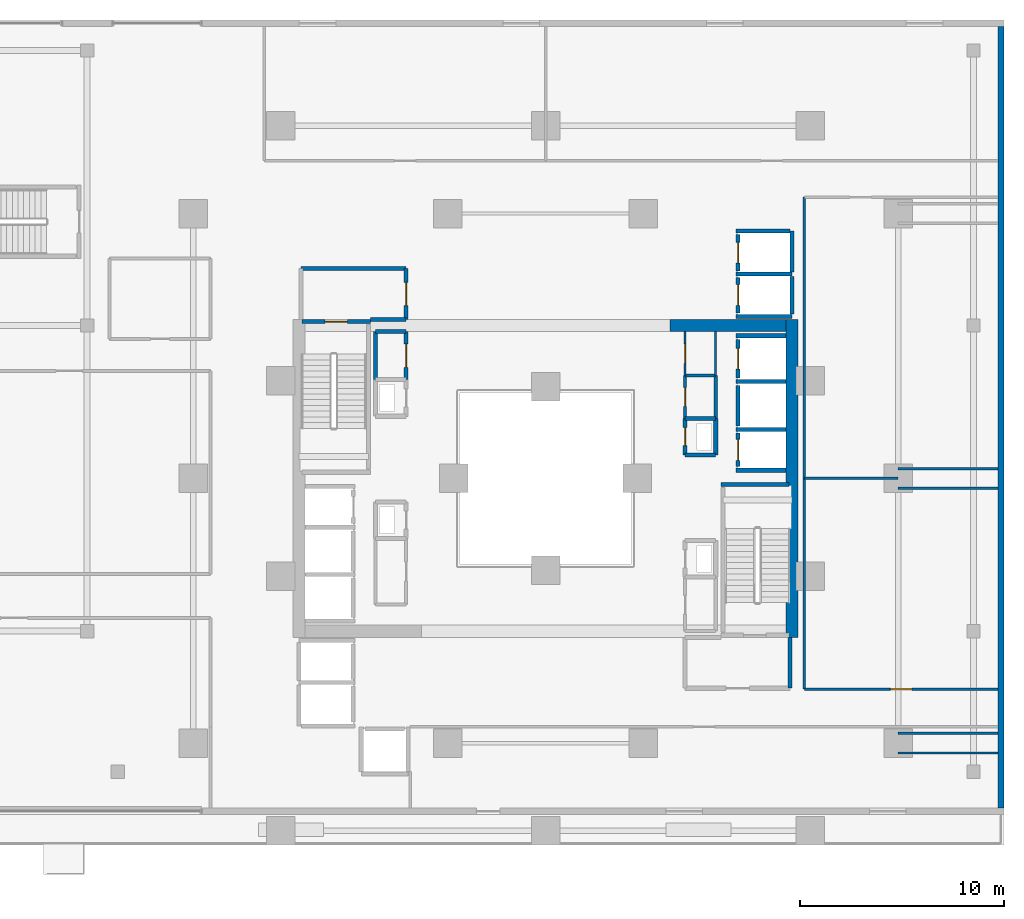
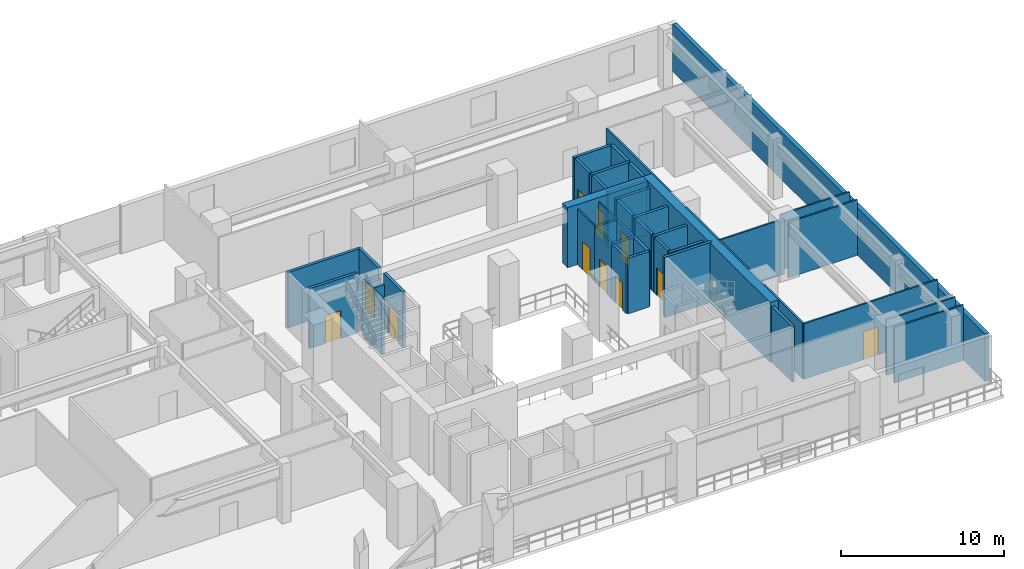
# One storey, part 16 of 22: 43 walls, 11 doors, 11 openings.
"""IFC4 building model written with IfcOpenShell, lengths in metres."""

from ifc_helpers import new_model, si_unit, direction, frame, frame_2d, origin, place, context, subcontext, project, spatial, rectangle, extrude, material, layer, layer_set, type_object, element, fill, save


model = new_model("IFC4")

# Units and contexts
model_context = context("Model", 3, precision=1e-05, world=origin(), true_north=direction((0.0, 1.0)))
body_context = subcontext(model_context, "Body", "Model", "MODEL_VIEW")
ifc_project = project(units=[si_unit("LENGTHUNIT", "METRE"), si_unit("AREAUNIT", "SQUARE_METRE"), si_unit("VOLUMEUNIT", "CUBIC_METRE"), si_unit("PLANEANGLEUNIT", "RADIAN"), si_unit("MASSUNIT", "GRAM", prefix="KILO")], contexts=[model_context])

# Site, building, storey
site_placement = place(None, origin())
site = spatial("IfcSite", under=ifc_project, at=site_placement, CompositionType="ELEMENT")
building_placement = place(site_placement, origin())
building = spatial("IfcBuilding", under=site, at=building_placement, Name="Thornwick Lancets Civic Towers", CompositionType="ELEMENT")
storey_placement = place(building_placement, frame((0.0, 0.0, 18.60009765625)))
storey = spatial("IfcBuildingStorey", under=building, at=storey_placement, Name="L04", CompositionType="ELEMENT", Elevation=18.60009765625)

# Wall, opening, door
ifc_material_1 = material(Name="Concrete blockwork C40/50", Category="masonry")
ifc_layer_1 = layer(ifc_material_1, 0.199951171875, Name="Concrete blockwork C40/50")
ifc_layer_set_1 = layer_set([ifc_layer_1], Name="Concrete blockwork C40/50")
wall_type_1 = type_object("IfcWallType", Name="WALL_COMP_200", PredefinedType="STANDARD", material=ifc_layer_set_1)
wall_1_placement = place(storey_placement, frame((97.949951171875, 29.219970703125, 0.0), z_axis=(0.0, 0.0, 1.0), x_axis=(0.0, -1.0, 0.0)))
wall_1 = element("IfcWall", 1, at=wall_1_placement, inside=storey, type_object=wall_type_1, Name="L04 Hoistway Front Wall FL-B1", PredefinedType="STANDARD", context=body_context, shape_type="SweptSolid", body=[
    extrude(rectangle(XDim=1.639892578125, YDim=0.199951171875, at=frame_2d((0.81982421875, 0.0))), origin(), (0.0, 0.0, 1.0), 4.159912109375),
])
opening_1_placement = place(wall_1_placement, frame((0.31005859375, 0.0, 0.0)))
opening_1 = element("IfcOpeningElement", 2, at=opening_1_placement, cuts=wall_1, Name="Opening LD-FL-B1", PredefinedType="OPENING", context=body_context, shape_type="SweptSolid", body=[
    extrude(rectangle(XDim=1.02001953125, YDim=2.06005859375, at=frame_2d((0.510009765625, 1.030029296875))), frame((0.0, 0.10986328125, 0.0), z_axis=(0.0, -1.0, 0.0), x_axis=(1.0, 0.0, 0.0)), (0.0, 0.0, 1.0), 0.219970703125),
])
ifc_material_2 = material(Name="Brushed bronze stainless steel", Category="steel")
door_type_1 = type_object("IfcDoorType", Name="DOOR_LIFT_SLIDE", OperationType="SLIDING_TO_LEFT", PredefinedType="DOOR", material=ifc_material_2)
door_1_placement = place(opening_1_placement, origin())
door_1 = element("IfcDoor", 3, at=door_1_placement, inside=storey, type_object=door_type_1, Name="L04 Sliding Lift Landing Door LD-FL-B1", OperationType="SLIDING_TO_LEFT", OverallHeight=2.06005859375, OverallWidth=1.02001953125, PredefinedType="DOOR", context=body_context, shape_type="SweptSolid", body=[
    extrude(rectangle(XDim=1.02001953125, YDim=2.06005859375, at=frame_2d((0.510009765625, 1.030029296875))), frame((0.0, 0.02490234375, 0.0), z_axis=(0.0, -1.0, 0.0), x_axis=(1.0, 0.0, 0.0)), (0.0, 0.0, 1.0), 0.050048828125),
])
fill(opening_1, door_1)

# Wall
wall_2_placement = place(storey_placement, frame((97.949951171875, 31.570068359375, 0.0), z_axis=(0.0, 0.0, 1.0), x_axis=(0.0, -1.0, 0.0)))
element("IfcWall", 4, at=wall_2_placement, inside=storey, type_object=wall_type_1, Name="L04 Hoistway Front Wall PL-BH1", PredefinedType="STANDARD", context=body_context, shape_type="SweptSolid", body=[
    extrude(rectangle(XDim=1.989990234375, YDim=0.199951171875, at=frame_2d((0.9951171875, 0.0))), origin(), (0.0, 0.0, 1.0), 4.159912109375),
])

# Wall, opening, door
wall_3_placement = place(storey_placement, frame((97.949951171875, 33.820068359375, 0.0), z_axis=(0.0, 0.0, 1.0), x_axis=(0.0, -1.0, 0.0)))
wall_3 = element("IfcWall", 5, at=wall_3_placement, inside=storey, type_object=wall_type_1, Name="L04 Hoistway Front Wall PL-BL1", PredefinedType="STANDARD", context=body_context, shape_type="SweptSolid", body=[
    extrude(rectangle(XDim=1.89013671875, YDim=0.199951171875, at=frame_2d((0.945068359375, 0.0))), origin(), (0.0, 0.0, 1.0), 4.159912109375),
])
opening_2_placement = place(wall_3_placement, frame((0.43505859375, 0.0, 0.0)))
opening_2 = element("IfcOpeningElement", 6, at=opening_2_placement, cuts=wall_3, Name="Opening LD-PL-BL1", PredefinedType="OPENING", context=body_context, shape_type="SweptSolid", body=[
    extrude(rectangle(XDim=1.02001953125, YDim=2.06005859375, at=frame_2d((0.510009765625, 1.030029296875))), frame((0.0, 0.10986328125, 0.0), z_axis=(0.0, -1.0, 0.0), x_axis=(1.0, 0.0, 0.0)), (0.0, 0.0, 1.0), 0.219970703125),
])
door_2_placement = place(opening_2_placement, origin())
door_2 = element("IfcDoor", 7, at=door_2_placement, inside=storey, type_object=door_type_1, Name="L04 Sliding Lift Landing Door LD-PL-BL1", OperationType="SLIDING_TO_LEFT", OverallHeight=2.06005859375, OverallWidth=1.02001953125, PredefinedType="DOOR", context=body_context, shape_type="SweptSolid", body=[
    extrude(rectangle(XDim=1.02001953125, YDim=2.06005859375, at=frame_2d((0.510009765625, 1.030029296875))), frame((0.0, 0.02490234375, 0.0), z_axis=(0.0, -1.0, 0.0), x_axis=(1.0, 0.0, 0.0)), (0.0, 0.0, 1.0), 0.050048828125),
])
fill(opening_2, door_2)

wall_4_placement = place(storey_placement, frame((97.949951171875, 36.8701171875, 0.0), z_axis=(0.0, 0.0, 1.0), x_axis=(0.0, -1.0, 0.0)))
wall_4 = element("IfcWall", 8, at=wall_4_placement, inside=storey, type_object=wall_type_1, Name="L04 Hoistway Front Wall PL-BL2", PredefinedType="STANDARD", context=body_context, shape_type="SweptSolid", body=[
    extrude(rectangle(XDim=1.740234375, YDim=0.199951171875, at=frame_2d((0.8701171875, 0.0))), origin(), (0.0, 0.0, 1.0), 4.159912109375),
])
opening_3_placement = place(wall_4_placement, frame((0.360107421875, 0.0, 0.0)))
opening_3 = element("IfcOpeningElement", 9, at=opening_3_placement, cuts=wall_4, Name="Opening LD-PL-BL2", PredefinedType="OPENING", context=body_context, shape_type="SweptSolid", body=[
    extrude(rectangle(XDim=1.02001953125, YDim=2.06005859375, at=frame_2d((0.510009765625, 1.030029296875))), frame((0.0, 0.10986328125, 0.0), z_axis=(0.0, -1.0, 0.0), x_axis=(1.0, 0.0, 0.0)), (0.0, 0.0, 1.0), 0.219970703125),
])
door_3_placement = place(opening_3_placement, origin())
door_3 = element("IfcDoor", 10, at=door_3_placement, inside=storey, type_object=door_type_1, Name="L04 Sliding Lift Landing Door LD-PL-BL2", OperationType="SLIDING_TO_LEFT", OverallHeight=2.06005859375, OverallWidth=1.02001953125, PredefinedType="DOOR", context=body_context, shape_type="SweptSolid", body=[
    extrude(rectangle(XDim=1.02001953125, YDim=2.06005859375, at=frame_2d((0.510009765625, 1.030029296875))), frame((0.0, 0.02490234375, 0.0), z_axis=(0.0, -1.0, 0.0), x_axis=(1.0, 0.0, 0.0)), (0.0, 0.0, 1.0), 0.050048828125),
])
fill(opening_3, door_3)

wall_5_placement = place(storey_placement, frame((97.949951171875, 38.969970703125, 0.0), z_axis=(0.0, 0.0, 1.0), x_axis=(0.0, -1.0, 0.0)))
wall_5 = element("IfcWall", 11, at=wall_5_placement, inside=storey, type_object=wall_type_1, Name="L04 Hoistway Front Wall PL-BL3", PredefinedType="STANDARD", context=body_context, shape_type="SweptSolid", body=[
    extrude(rectangle(XDim=1.7900390625, YDim=0.199951171875, at=frame_2d((0.89501953125, 0.0))), origin(), (0.0, 0.0, 1.0), 4.159912109375),
])
opening_4_placement = place(wall_5_placement, frame((0.385009765625, 0.0, 0.0)))
opening_4 = element("IfcOpeningElement", 12, at=opening_4_placement, cuts=wall_5, Name="Opening LD-PL-BL3", PredefinedType="OPENING", context=body_context, shape_type="SweptSolid", body=[
    extrude(rectangle(XDim=1.02001953125, YDim=2.06005859375, at=frame_2d((0.510009765625, 1.030029296875))), frame((0.0, 0.10986328125, 0.0), z_axis=(0.0, -1.0, 0.0), x_axis=(1.0, 0.0, 0.0)), (0.0, 0.0, 1.0), 0.219970703125),
])
door_4_placement = place(opening_4_placement, origin())
door_4 = element("IfcDoor", 13, at=door_4_placement, inside=storey, type_object=door_type_1, Name="L04 Sliding Lift Landing Door LD-PL-BL3", OperationType="SLIDING_TO_LEFT", OverallHeight=2.06005859375, OverallWidth=1.02001953125, PredefinedType="DOOR", context=body_context, shape_type="SweptSolid", body=[
    extrude(rectangle(XDim=1.02001953125, YDim=2.06005859375, at=frame_2d((0.510009765625, 1.030029296875))), frame((0.0, 0.02490234375, 0.0), z_axis=(0.0, -1.0, 0.0), x_axis=(1.0, 0.0, 0.0)), (0.0, 0.0, 1.0), 0.050048828125),
])
fill(opening_4, door_4)

# Walls
for number, where, z_axis, x_axis, name in (
    (14, (97.85205078125, 29.39990234375, 0.0), (0.0, 0.0, 1.0), (1.0, 0.0, 0.0), "L04 Hoistway Shaft Wall FL-B1 N"),
    (15, (97.85205078125, 27.39990234375, 0.0), (0.0, 0.0, 1.0), (1.0, 0.0, 0.0), "L04 Hoistway Shaft Wall FL-B1 S"),
    (16, (97.85205078125, 31.75, 0.0), (0.0, 0.0, 1.0), (1.0, 0.0, 0.0), "L04 Hoistway Shaft Wall PL-BH1 N"),
    (17, (97.85205078125, 34.0, 0.0), (0.0, 0.0, 1.0), (1.0, 0.0, 0.0), "L04 Hoistway Shaft Wall PL-BL1 N"),
):
    element("IfcWall", number, at=place(storey_placement, frame(where, z_axis=z_axis, x_axis=x_axis)), inside=storey, type_object=wall_type_1, Name=name, PredefinedType="STANDARD", context=body_context, shape_type="SweptSolid", body=[
        extrude(rectangle(XDim=2.43603515625, YDim=0.199951171875, at=frame_2d((1.218017578125, 0.0))), origin(), (0.0, 0.0, 1.0), 4.159912109375),
    ])
for number, where, z_axis, x_axis, name in (
    (18, (97.85205078125, 37.02490234375, 0.0), (0.0, 0.0, 1.0), (1.0, 0.0, 0.0), "L04 Hoistway Shaft Wall PL-BL2 N"),
    (19, (97.85205078125, 34.949951171875, 0.0), (0.0, 0.0, 1.0), (1.0, 0.0, 0.0), "L04 Hoistway Shaft Wall PL-BL2 S"),
):
    element("IfcWall", number, at=place(storey_placement, frame(where, z_axis=z_axis, x_axis=x_axis)), inside=storey, type_object=wall_type_1, Name=name, PredefinedType="STANDARD", context=body_context, shape_type="SweptSolid", body=[
        extrude(rectangle(XDim=2.745849609375, YDim=0.199951171875, at=frame_2d((1.373046875, 0.0))), origin(), (0.0, 0.0, 1.0), 4.159912109375),
    ])
wall_6_placement = place(storey_placement, frame((100.60009765625, 35.06201171875, 0.0), z_axis=(0.0, 0.0, 1.0), x_axis=(0.0, 1.0, 0.0)))
element("IfcWall", 20, at=wall_6_placement, inside=storey, type_object=wall_type_1, Name="L04 Hoistway Shaft Wall PL-BL2 E", PredefinedType="STANDARD", context=body_context, shape_type="SweptSolid", body=[
    extrude(rectangle(XDim=1.85595703125, YDim=0.199951171875, at=frame_2d((0.927978515625, 0.0))), origin(), (0.0, 0.0, 1.0), 4.159912109375),
])
wall_7_placement = place(storey_placement, frame((100.60009765625, 37.132080078125, 0.0), z_axis=(0.0, 0.0, 1.0), x_axis=(0.0, 1.0, 0.0)))
element("IfcWall", 21, at=wall_7_placement, inside=storey, type_object=wall_type_1, Name="L04 Hoistway Shaft Wall PL-BL2 E", PredefinedType="STANDARD", context=body_context, shape_type="SweptSolid", body=[
    extrude(rectangle(XDim=2.015869140625, YDim=0.199951171875, at=frame_2d((1.0078125, 0.0))), origin(), (0.0, 0.0, 1.0), 4.159912109375),
])
wall_8_placement = place(storey_placement, frame((97.85205078125, 39.14990234375, 0.0), z_axis=(0.0, 0.0, 1.0), x_axis=(1.0, 0.0, 0.0)))
element("IfcWall", 22, at=wall_8_placement, inside=storey, type_object=wall_type_1, Name="L04 Hoistway Shaft Wall PL-BL3 N", PredefinedType="STANDARD", context=body_context, shape_type="SweptSolid", body=[
    extrude(rectangle(XDim=2.635986328125, YDim=0.199951171875, at=frame_2d((1.31787109375, 0.0))), origin(), (0.0, 0.0, 1.0), 4.159912109375),
])
wall_9_placement = place(storey_placement, frame((100.5, 16.699951171875, 0.0), z_axis=(0.0, 0.0, 1.0), x_axis=(0.0, 1.0, 0.0)))
element("IfcWall", 23, at=wall_9_placement, inside=storey, type_object=wall_type_1, Name="L04 Partition L04-B-FFLOB1 E2", PredefinedType="STANDARD", context=body_context, shape_type="SweptSolid", body=[
    extrude(rectangle(XDim=2.5, YDim=0.199951171875, at=frame_2d((1.25, 0.0))), origin(), (0.0, 0.0, 1.0), 4.159912109375),
])
wall_10_placement = place(storey_placement, frame((79.89990234375, 34.800048828125, 0.0), z_axis=(0.0, 0.0, 1.0), x_axis=(1.0, 0.0, 0.0)))
element("IfcWall", 24, at=wall_10_placement, inside=storey, type_object=wall_type_1, Name="L04 Partition L04-B-FFLOB2 E1", PredefinedType="STANDARD", context=body_context, shape_type="SweptSolid", body=[
    extrude(rectangle(XDim=1.75, YDim=0.199951171875, at=frame_2d((0.875, 0.0))), origin(), (0.0, 0.0, 1.0), 3.364990234375),
])

# Wall, opening, door
wall_11_placement = place(storey_placement, frame((81.64990234375, 34.800048828125, 0.0), z_axis=(0.0, 0.0, 1.0), x_axis=(0.0, 1.0, 0.0)))
wall_11 = element("IfcWall", 25, at=wall_11_placement, inside=storey, type_object=wall_type_1, Name="L04 Partition L04-B-FFLOB2 E2", PredefinedType="STANDARD", context=body_context, shape_type="SweptSolid", body=[
    extrude(rectangle(XDim=2.5, YDim=0.199951171875, at=frame_2d((1.25, 0.0))), origin(), (0.0, 0.0, 1.0), 4.159912109375),
])
opening_5_placement = place(wall_11_placement, frame((0.675048828125, 0.0, 0.0)))
opening_5 = element("IfcOpeningElement", 26, at=opening_5_placement, cuts=wall_11, Name="Opening D-L04-0245", PredefinedType="OPENING", context=body_context, shape_type="SweptSolid", body=[
    extrude(rectangle(XDim=1.14990234375, YDim=2.10009765625, at=frame_2d((0.574951171875, 1.050048828125))), frame((0.0, 0.10986328125, 0.0), z_axis=(0.0, -1.0, 0.0), x_axis=(1.0, 0.0, 0.0)), (0.0, 0.0, 1.0), 0.219970703125),
])
ifc_material_3 = material(Name="Glazed fire-resisting steel", Category="steel")
door_type_2 = type_object("IfcDoorType", Name="DOOR_LOBBY_FD60", OperationType="NOTDEFINED", PredefinedType="DOOR", material=ifc_material_3)
door_5_placement = place(opening_5_placement, origin())
door_5 = element("IfcDoor", 27, at=door_5_placement, inside=storey, type_object=door_type_2, Name="L04 West Firefighting Lobby 2 Door", OperationType="SINGLE_SWING_RIGHT", OverallHeight=2.10009765625, OverallWidth=1.14990234375, PredefinedType="DOOR", context=body_context, shape_type="SweptSolid", body=[
    extrude(rectangle(XDim=1.14990234375, YDim=2.10009765625, at=frame_2d((0.574951171875, 1.050048828125))), frame((0.0, 0.02490234375, 0.0), z_axis=(0.0, -1.0, 0.0), x_axis=(1.0, 0.0, 0.0)), (0.0, 0.0, 1.0), 0.050048828125),
])
fill(opening_5, door_5)

# Walls
wall_12_placement = place(storey_placement, frame((81.64990234375, 37.300048828125, 0.0), z_axis=(0.0, 0.0, 1.0), x_axis=(-1.0, 0.0, 0.0)))
element("IfcWall", 28, at=wall_12_placement, inside=storey, type_object=wall_type_1, Name="L04 Partition L04-B-FFLOB2 E3", PredefinedType="STANDARD", context=body_context, shape_type="SweptSolid", body=[
    extrude(rectangle(XDim=5.14990234375, YDim=0.199951171875, at=frame_2d((2.574951171875, 0.0))), origin(), (0.0, 0.0, 1.0), 4.159912109375),
])
wall_13_placement = place(storey_placement, frame((95.35009765625, 28.14990234375, 0.0), z_axis=(0.0, 0.0, 1.0), x_axis=(1.0, 0.0, 0.0)))
element("IfcWall", 29, at=wall_13_placement, inside=storey, type_object=wall_type_1, Name="L04 Partition L04-B-DUCT1 E1", PredefinedType="STANDARD", context=body_context, shape_type="SweptSolid", body=[
    extrude(rectangle(XDim=1.5, YDim=0.199951171875, at=frame_2d((0.75, 0.0))), origin(), (0.0, 0.0, 1.0), 4.159912109375),
])
wall_14_placement = place(storey_placement, frame((96.85009765625, 28.14990234375, 0.0), z_axis=(0.0, 0.0, 1.0), x_axis=(0.0, 1.0, 0.0)))
element("IfcWall", 30, at=wall_14_placement, inside=storey, type_object=wall_type_1, Name="L04 Partition L04-B-DUCT1 E2", PredefinedType="STANDARD", context=body_context, shape_type="SweptSolid", body=[
    extrude(rectangle(XDim=1.800048828125, YDim=0.199951171875, at=frame_2d((0.89990234375, 0.0))), origin(), (0.0, 0.0, 1.0), 4.159912109375),
])
wall_15_placement = place(storey_placement, frame((96.85009765625, 29.949951171875, 0.0), z_axis=(0.0, 0.0, 1.0), x_axis=(-1.0, 0.0, 0.0)))
element("IfcWall", 31, at=wall_15_placement, inside=storey, type_object=wall_type_1, Name="L04 Partition L04-B-DUCT1 E3", PredefinedType="STANDARD", context=body_context, shape_type="SweptSolid", body=[
    extrude(rectangle(XDim=1.5, YDim=0.199951171875, at=frame_2d((0.75, 0.0))), origin(), (0.0, 0.0, 1.0), 4.159912109375),
])

# Wall, opening, door
wall_16_placement = place(storey_placement, frame((95.35009765625, 29.949951171875, 0.0), z_axis=(0.0, 0.0, 1.0), x_axis=(0.0, -1.0, 0.0)))
wall_16 = element("IfcWall", 32, at=wall_16_placement, inside=storey, type_object=wall_type_1, Name="L04 Partition L04-B-DUCT1 E4", PredefinedType="STANDARD", context=body_context, shape_type="SweptSolid", body=[
    extrude(rectangle(XDim=1.800048828125, YDim=0.199951171875, at=frame_2d((0.89990234375, 0.0))), origin(), (0.0, 0.0, 1.0), 4.159912109375),
])
opening_6_placement = place(wall_16_placement, frame((0.4599609375, 0.0, 0.0)))
opening_6 = element("IfcOpeningElement", 33, at=opening_6_placement, cuts=wall_16, Name="Opening D-L04-0246", PredefinedType="OPENING", context=body_context, shape_type="SweptSolid", body=[
    extrude(rectangle(XDim=0.8798828125, YDim=2.0400390625, at=frame_2d((0.43994140625, 1.02001953125))), frame((0.0, 0.10986328125, 0.0), z_axis=(0.0, -1.0, 0.0), x_axis=(1.0, 0.0, 0.0)), (0.0, 0.0, 1.0), 0.219970703125),
])
ifc_material_4 = material(Name="Steel riser access doorset", Category="steel")
door_type_3 = type_object("IfcDoorType", Name="DOOR_RISER_850", OperationType="NOTDEFINED", PredefinedType="DOOR", material=ifc_material_4)
door_6_placement = place(opening_6_placement, origin())
door_6 = element("IfcDoor", 34, at=door_6_placement, inside=storey, type_object=door_type_3, Name="L04 East Service Duct 1 Door", OperationType="SINGLE_SWING_LEFT", OverallHeight=2.0400390625, OverallWidth=0.8798828125, PredefinedType="DOOR", context=body_context, shape_type="SweptSolid", body=[
    extrude(rectangle(XDim=0.8798828125, YDim=2.0400390625, at=frame_2d((0.43994140625, 1.02001953125))), frame((0.0, 0.02490234375, 0.0), z_axis=(0.0, -1.0, 0.0), x_axis=(1.0, 0.0, 0.0)), (0.0, 0.0, 1.0), 0.050048828125),
])
fill(opening_6, door_6)

# Walls
wall_17_placement = place(storey_placement, frame((80.14990234375, 31.85009765625, 0.0), z_axis=(0.0, 0.0, 1.0), x_axis=(0.0, 1.0, 0.0)))
element("IfcWall", 35, at=wall_17_placement, inside=storey, type_object=wall_type_1, Name="L04 Partition L04-B-STR E1", PredefinedType="STANDARD", context=body_context, shape_type="SweptSolid", body=[
    extrude(rectangle(XDim=2.349853515625, YDim=0.199951171875, at=frame_2d((1.1748046875, 0.0))), origin(), (0.0, 0.0, 1.0), 4.159912109375),
])
wall_18_placement = place(storey_placement, frame((80.14990234375, 34.199951171875, 0.0), z_axis=(0.0, 0.0, 1.0), x_axis=(1.0, 0.0, 0.0)))
element("IfcWall", 36, at=wall_18_placement, inside=storey, type_object=wall_type_1, Name="L04 Partition L04-B-STR E2", PredefinedType="STANDARD", context=body_context, shape_type="SweptSolid", body=[
    extrude(rectangle(XDim=1.5, YDim=0.199951171875, at=frame_2d((0.75, 0.0))), origin(), (0.0, 0.0, 1.0), 3.364990234375),
])

# Wall, opening, door
wall_19_placement = place(storey_placement, frame((81.64990234375, 34.199951171875, 0.0), z_axis=(0.0, 0.0, 1.0), x_axis=(0.0, -1.0, 0.0)))
wall_19 = element("IfcWall", 37, at=wall_19_placement, inside=storey, type_object=wall_type_1, Name="L04 Partition L04-B-STR E3", PredefinedType="STANDARD", context=body_context, shape_type="SweptSolid", body=[
    extrude(rectangle(XDim=2.349853515625, YDim=0.199951171875, at=frame_2d((1.1748046875, 0.0))), origin(), (0.0, 0.0, 1.0), 4.159912109375),
])
opening_7_placement = place(wall_19_placement, frame((0.60009765625, 0.0, 0.0)))
opening_7 = element("IfcOpeningElement", 38, at=opening_7_placement, cuts=wall_19, Name="Opening D-L04-0254", PredefinedType="OPENING", context=body_context, shape_type="SweptSolid", body=[
    extrude(rectangle(XDim=1.14990234375, YDim=2.10009765625, at=frame_2d((0.574951171875, 1.050048828125))), frame((0.0, 0.10986328125, 0.0), z_axis=(0.0, -1.0, 0.0), x_axis=(1.0, 0.0, 0.0)), (0.0, 0.0, 1.0), 0.219970703125),
])
door_7_placement = place(opening_7_placement, origin())
door_7 = element("IfcDoor", 39, at=door_7_placement, inside=storey, type_object=door_type_2, Name="L04 Tower B Core Equipment Store Door", OperationType="SINGLE_SWING_LEFT", OverallHeight=2.10009765625, OverallWidth=1.14990234375, PredefinedType="DOOR", context=body_context, shape_type="SweptSolid", body=[
    extrude(rectangle(XDim=1.14990234375, YDim=2.10009765625, at=frame_2d((0.574951171875, 1.050048828125))), frame((0.0, 0.02490234375, 0.0), z_axis=(0.0, -1.0, 0.0), x_axis=(1.0, 0.0, 0.0)), (0.0, 0.0, 1.0), 0.050048828125),
])
fill(opening_7, door_7)

# Walls
ifc_material_5 = material(Name="Concrete C60/75", Category="concrete")
ifc_layer_2 = layer(ifc_material_5, 0.60009765625, Name="Concrete C60/75")
ifc_layer_set_2 = layer_set([ifc_layer_2], Name="Concrete C60/75")
wall_type_2 = type_object("IfcWallType", Name="WALL_CORE_600", PredefinedType="SHEAR", material=ifc_layer_set_2)
wall_20_placement = place(storey_placement, frame((100.60009765625, 19.199951171875, 0.0), z_axis=(0.0, 0.0, 1.0), x_axis=(0.0, 1.0, 0.0)))
element("IfcWall", 40, at=wall_20_placement, inside=storey, type_object=wall_type_2, Name="L04 Split Core B1 Shear Wall E", PredefinedType="SHEAR", context=body_context, shape_type="SweptSolid", body=[
    extrude(rectangle(XDim=15.60009765625, YDim=0.60009765625, at=frame_2d((7.800048828125, 0.0))), origin(), (0.0, 0.0, 1.0), 4.5),
])
wall_21_placement = place(storey_placement, frame((94.60009765625, 34.5, 0.0), z_axis=(0.0, 0.0, 1.0), x_axis=(1.0, 0.0, 0.0)))
element("IfcWall", 41, at=wall_21_placement, inside=storey, type_object=wall_type_2, Name="L04 Split Core B1 Shear Wall N", PredefinedType="SHEAR", context=body_context, shape_type="SweptSolid", body=[
    extrude(rectangle(XDim=5.699951171875, YDim=0.60009765625, at=frame_2d((2.85009765625, 0.0))), origin(), (0.0, 0.0, 1.0), 4.5),
])
ifc_material_6 = material(Name="Insulated russet terracotta rainscreen on concrete C40/50", Category="masonry")
ifc_layer_3 = layer(ifc_material_6, 0.300048828125, Name="Insulated russet terracotta rainscreen on concrete C40/50")
ifc_layer_set_3 = layer_set([ifc_layer_3], Name="Insulated russet terracotta rainscreen on concrete C40/50")
wall_type_3 = type_object("IfcWallType", Name="WALL_EXT_RUSSET_300", PredefinedType="STANDARD", material=ifc_layer_set_3)
wall_22_placement = place(storey_placement, frame((110.85009765625, 10.820068359375, 0.0), z_axis=(0.0, 0.0, 1.0), x_axis=(0.0, 1.0, 0.0)))
element("IfcWall", 42, at=wall_22_placement, inside=storey, type_object=wall_type_3, Name="L04 Podium East Facade Wall", PredefinedType="STANDARD", context=body_context, shape_type="SweptSolid", body=[
    extrude(rectangle(XDim=38.35986328125, YDim=0.300048828125, at=frame_2d((19.179931640625, 0.0))), origin(), (0.0, 0.0, 1.0), 3.559814453125),
])

# Wall, opening, door
ifc_material_7 = material(Name="Lightweight cellular office partition")
ifc_layer_4 = layer(ifc_material_7, 0.10009765625, Name="Lightweight cellular office partition")
ifc_layer_set_4 = layer_set([ifc_layer_4], Name="Lightweight cellular office partition")
wall_type_4 = type_object("IfcWallType", Name="WALL_PART_100", PredefinedType="PARTITIONING", material=ifc_layer_set_4)
wall_23_placement = place(storey_placement, frame((95.35009765625, 32.050048828125, 0.0), z_axis=(0.0, 0.0, 1.0), x_axis=(0.0, 1.0, 0.0)))
wall_23 = element("IfcWall", 43, at=wall_23_placement, inside=storey, type_object=wall_type_4, Name="L04 Partition L04-B-CLN E1", PredefinedType="PARTITIONING", context=body_context, shape_type="SweptSolid", body=[
    extrude(rectangle(XDim=2.14990234375, YDim=0.10009765625, at=frame_2d((1.074951171875, 0.0))), origin(), (0.0, 0.0, 1.0), 4.159912109375),
])
opening_8_placement = place(wall_23_placement, frame((0.60009765625, 0.0, 0.0)))
opening_8 = element("IfcOpeningElement", 44, at=opening_8_placement, cuts=wall_23, Name="Opening D-L04-0252", PredefinedType="OPENING", context=body_context, shape_type="SweptSolid", body=[
    extrude(rectangle(XDim=0.949951171875, YDim=2.10009765625, at=frame_2d((0.47509765625, 1.050048828125))), frame((0.0, 0.06005859375, 0.0), z_axis=(0.0, -1.0, 0.0), x_axis=(1.0, 0.0, 0.0)), (0.0, 0.0, 1.0), 0.1201171875),
])
ifc_material_8 = material(Name="European oak acoustic doorset")
door_type_4 = type_object("IfcDoorType", Name="DOOR_OFFICE_950", OperationType="NOTDEFINED", PredefinedType="DOOR", material=ifc_material_8)
door_8_placement = place(opening_8_placement, origin())
door_8 = element("IfcDoor", 45, at=door_8_placement, inside=storey, type_object=door_type_4, Name="L04 Tower B Cleaners Store Door", OperationType="SINGLE_SWING_LEFT", OverallHeight=2.10009765625, OverallWidth=0.949951171875, PredefinedType="DOOR", context=body_context, shape_type="SweptSolid", body=[
    extrude(rectangle(XDim=0.949951171875, YDim=2.10009765625, at=frame_2d((0.47509765625, 1.050048828125))), frame((0.0, 0.02490234375, 0.0), z_axis=(0.0, -1.0, 0.0), x_axis=(1.0, 0.0, 0.0)), (0.0, 0.0, 1.0), 0.050048828125),
])
fill(opening_8, door_8)

# Walls
wall_24_placement = place(storey_placement, frame((96.85009765625, 34.199951171875, 0.0), z_axis=(0.0, 0.0, 1.0), x_axis=(0.0, -1.0, 0.0)))
element("IfcWall", 46, at=wall_24_placement, inside=storey, type_object=wall_type_4, Name="L04 Partition L04-B-CLN E3", PredefinedType="PARTITIONING", context=body_context, shape_type="SweptSolid", body=[
    extrude(rectangle(XDim=2.14990234375, YDim=0.10009765625, at=frame_2d((1.074951171875, 0.0))), origin(), (0.0, 0.0, 1.0), 4.159912109375),
])
ifc_material_9 = material(Name="Acoustic gypsum board partition")
ifc_layer_5 = layer(ifc_material_9, 0.1201171875, Name="Acoustic gypsum board partition")
ifc_layer_set_5 = layer_set([ifc_layer_5], Name="Acoustic gypsum board partition")
wall_type_5 = type_object("IfcWallType", Name="WALL_PART_120", PredefinedType="PARTITIONING", material=ifc_layer_set_5)
wall_25_placement = place(storey_placement, frame((101.199951171875, 16.64990234375, 0.0), z_axis=(0.0, 0.0, 1.0), x_axis=(0.0, 1.0, 0.0)))
element("IfcWall", 47, at=wall_25_placement, inside=storey, type_object=wall_type_5, Name="L04 Partition L04-PANT E1", PredefinedType="PARTITIONING", context=body_context, shape_type="SweptSolid", body=[
    extrude(rectangle(XDim=10.35009765625, YDim=0.1201171875, at=frame_2d((5.175048828125, 0.0))), origin(), (0.0, 0.0, 1.0), 4.159912109375),
])
wall_26_placement = place(storey_placement, frame((101.199951171875, 27.0, 0.0), z_axis=(0.0, 0.0, 1.0), x_axis=(1.0, 0.0, 0.0)))
element("IfcWall", 48, at=wall_26_placement, inside=storey, type_object=wall_type_5, Name="L04 Partition L04-PANT E2", PredefinedType="PARTITIONING", context=body_context, shape_type="SweptSolid", body=[
    extrude(rectangle(XDim=4.60009765625, YDim=0.1201171875, at=frame_2d((2.300048828125, 0.0))), origin(), (0.0, 0.0, 1.0), 4.159912109375),
])
wall_27_placement = place(storey_placement, frame((105.800048828125, 26.52001953125, 0.0), z_axis=(0.0, 0.0, 1.0), x_axis=(1.0, 0.0, 0.0)))
element("IfcWall", 49, at=wall_27_placement, inside=storey, type_object=wall_type_5, Name="L04 Partition L04-PANT E4", PredefinedType="PARTITIONING", context=body_context, shape_type="SweptSolid", body=[
    extrude(rectangle(XDim=4.89990234375, YDim=0.1201171875, at=frame_2d((2.449951171875, 0.0))), origin(), (0.0, 0.0, 1.0), 4.159912109375),
])

# Wall, opening, door
wall_28_placement = place(storey_placement, frame((110.699951171875, 16.64990234375, 0.0), z_axis=(0.0, 0.0, 1.0), x_axis=(-1.0, 0.0, 0.0)))
wall_28 = element("IfcWall", 50, at=wall_28_placement, inside=storey, type_object=wall_type_5, Name="L04 Partition L04-PANT E6", PredefinedType="PARTITIONING", context=body_context, shape_type="SweptSolid", body=[
    extrude(rectangle(XDim=9.5, YDim=0.1201171875, at=frame_2d((4.75, 0.0))), origin(), (0.0, 0.0, 1.0), 4.159912109375),
])
opening_9_placement = place(wall_28_placement, frame((4.22509765625, 0.0, 0.0)))
opening_9 = element("IfcOpeningElement", 51, at=opening_9_placement, cuts=wall_28, Name="Opening D-L04-0261", PredefinedType="OPENING", context=body_context, shape_type="SweptSolid", body=[
    extrude(rectangle(XDim=1.050048828125, YDim=2.10009765625, at=frame_2d((0.52490234375, 1.050048828125))), frame((0.0, 0.070068359375, 0.0), z_axis=(0.0, -1.0, 0.0), x_axis=(1.0, 0.0, 0.0)), (0.0, 0.0, 1.0), 0.14013671875),
])
ifc_material_10 = material(Name="Glazed European oak executive doorset")
door_type_5 = type_object("IfcDoorType", Name="DOOR_OFFICE_1050", OperationType="NOTDEFINED", PredefinedType="DOOR", material=ifc_material_10)
door_9_placement = place(opening_9_placement, origin())
door_9 = element("IfcDoor", 52, at=door_9_placement, inside=storey, type_object=door_type_5, Name="L04 Staff Pantry and Breakout Lounge Door", OperationType="SINGLE_SWING_RIGHT", OverallHeight=2.10009765625, OverallWidth=1.050048828125, PredefinedType="DOOR", context=body_context, shape_type="SweptSolid", body=[
    extrude(rectangle(XDim=1.050048828125, YDim=2.10009765625, at=frame_2d((0.52490234375, 1.050048828125))), frame((0.0, 0.02490234375, 0.0), z_axis=(0.0, -1.0, 0.0), x_axis=(1.0, 0.0, 0.0)), (0.0, 0.0, 1.0), 0.050048828125),
])
fill(opening_9, door_9)

# Walls
wall_29_placement = place(storey_placement, frame((101.199951171875, 27.0, 0.0), z_axis=(0.0, 0.0, 1.0), x_axis=(0.0, 1.0, 0.0)))
element("IfcWall", 53, at=wall_29_placement, inside=storey, type_object=wall_type_5, Name="L04 Partition L04-ESUITE E3", PredefinedType="PARTITIONING", context=body_context, shape_type="SweptSolid", body=[
    extrude(rectangle(XDim=13.800048828125, YDim=0.1201171875, at=frame_2d((6.89990234375, 0.0))), origin(), (0.0, 0.0, 1.0), 4.159912109375),
])
for number, where, z_axis, x_axis, name in (
    (54, (110.699951171875, 27.47998046875, 0.0), (0.0, 0.0, 1.0), (-1.0, 0.0, 0.0), "L04 Partition L04-ESUITE E10"),
    (55, (110.699951171875, 14.47998046875, 0.0), (0.0, 0.0, 1.0), (-1.0, 0.0, 0.0), "L04 Partition L04-SSE E4"),
    (56, (105.800048828125, 13.52001953125, 0.0), (0.0, 0.0, 1.0), (1.0, 0.0, 0.0), "L04 Partition L04-SSE E6"),
):
    element("IfcWall", number, at=place(storey_placement, frame(where, z_axis=z_axis, x_axis=x_axis)), inside=storey, type_object=wall_type_5, Name=name, PredefinedType="PARTITIONING", context=body_context, shape_type="SweptSolid", body=[
        extrude(rectangle(XDim=4.89990234375, YDim=0.1201171875, at=frame_2d((2.449951171875, 0.0))), origin(), (0.0, 0.0, 1.0), 4.159912109375),
    ])

# Wall, opening, door
ifc_material_11 = material(Name="Twin-stud acoustic gypsum board")
ifc_layer_6 = layer(ifc_material_11, 0.14990234375, Name="Twin-stud acoustic gypsum board")
ifc_layer_set_6 = layer_set([ifc_layer_6], Name="Twin-stud acoustic gypsum board")
wall_type_6 = type_object("IfcWallType", Name="WALL_PART_150", PredefinedType="PARTITIONING", material=ifc_layer_set_6)
wall_30_placement = place(storey_placement, frame((95.35009765625, 29.949951171875, 0.0), z_axis=(0.0, 0.0, 1.0), x_axis=(0.0, 1.0, 0.0)))
wall_30 = element("IfcWall", 57, at=wall_30_placement, inside=storey, type_object=wall_type_6, Name="L04 Partition L04-B-MWC E1", PredefinedType="PARTITIONING", context=body_context, shape_type="SweptSolid", body=[
    extrude(rectangle(XDim=2.10009765625, YDim=0.14990234375, at=frame_2d((1.050048828125, 0.0))), origin(), (0.0, 0.0, 1.0), 4.159912109375),
])
opening_10_placement = place(wall_30_placement, frame((0.590087890625, 0.0, 0.0)))
opening_10 = element("IfcOpeningElement", 58, at=opening_10_placement, cuts=wall_30, Name="Opening D-L04-0251", PredefinedType="OPENING", context=body_context, shape_type="SweptSolid", body=[
    extrude(rectangle(XDim=0.919921875, YDim=2.080078125, at=frame_2d((0.4599609375, 1.0400390625))), frame((0.0, 0.0849609375, 0.0), z_axis=(0.0, -1.0, 0.0), x_axis=(1.0, 0.0, 0.0)), (0.0, 0.0, 1.0), 0.169921875),
])
ifc_material_12 = material(Name="Moisture-resistant oak doorset")
door_type_6 = type_object("IfcDoorType", Name="DOOR_WC_900", OperationType="NOTDEFINED", PredefinedType="DOOR", material=ifc_material_12)
door_10_placement = place(opening_10_placement, origin())
door_10 = element("IfcDoor", 59, at=door_10_placement, inside=storey, type_object=door_type_6, Name="L04 Tower B Male WC Door", OperationType="SINGLE_SWING_RIGHT", OverallHeight=2.080078125, OverallWidth=0.919921875, PredefinedType="DOOR", context=body_context, shape_type="SweptSolid", body=[
    extrude(rectangle(XDim=0.919921875, YDim=2.080078125, at=frame_2d((0.4599609375, 1.0400390625))), frame((0.0, 0.02490234375, 0.0), z_axis=(0.0, -1.0, 0.0), x_axis=(1.0, 0.0, 0.0)), (0.0, 0.0, 1.0), 0.050048828125),
])
fill(opening_10, door_10)

# Walls
wall_31_placement = place(storey_placement, frame((95.35009765625, 32.050048828125, 0.0), z_axis=(0.0, 0.0, 1.0), x_axis=(1.0, 0.0, 0.0)))
element("IfcWall", 60, at=wall_31_placement, inside=storey, type_object=wall_type_6, Name="L04 Partition L04-B-MWC E2", PredefinedType="PARTITIONING", context=body_context, shape_type="SweptSolid", body=[
    extrude(rectangle(XDim=1.5, YDim=0.14990234375, at=frame_2d((0.75, 0.0))), origin(), (0.0, 0.0, 1.0), 4.159912109375),
])
wall_32_placement = place(storey_placement, frame((96.85009765625, 32.050048828125, 0.0), z_axis=(0.0, 0.0, 1.0), x_axis=(0.0, -1.0, 0.0)))
element("IfcWall", 61, at=wall_32_placement, inside=storey, type_object=wall_type_6, Name="L04 Partition L04-B-MWC E3", PredefinedType="PARTITIONING", context=body_context, shape_type="SweptSolid", body=[
    extrude(rectangle(XDim=2.10009765625, YDim=0.14990234375, at=frame_2d((1.050048828125, 0.0))), origin(), (0.0, 0.0, 1.0), 4.159912109375),
])
ifc_material_13 = material(Name="Concrete C40/50", Category="concrete")
ifc_layer_7 = layer(ifc_material_13, 0.199951171875, Name="Concrete C40/50")
ifc_layer_set_7 = layer_set([ifc_layer_7], Name="Concrete C40/50")
wall_type_7 = type_object("IfcWallType", Name="WALL_SHAFT_200", PredefinedType="SHEAR", material=ifc_layer_set_7)
wall_33_placement = place(storey_placement, frame((97.10009765625, 26.699951171875, 0.0), z_axis=(0.0, 0.0, 1.0), x_axis=(1.0, 0.0, 0.0)))
element("IfcWall", 62, at=wall_33_placement, inside=storey, type_object=wall_type_7, Name="L04 ST-B1 Fire Stair Core Wall FAR", PredefinedType="SHEAR", context=body_context, shape_type="SweptSolid", body=[
    extrude(rectangle(XDim=3.349853515625, YDim=0.199951171875, at=frame_2d((1.6748046875, 0.0))), origin(), (0.0, 0.0, 1.0), 4.5),
])

# Wall, opening, door
wall_34_placement = place(storey_placement, frame((76.550048828125, 34.699951171875, 0.0), z_axis=(0.0, 0.0, 1.0), x_axis=(1.0, 0.0, 0.0)))
wall_34 = element("IfcWall", 63, at=wall_34_placement, inside=storey, type_object=wall_type_7, Name="L04 ST-B2 Fire Stair Core Wall NEAR", PredefinedType="SHEAR", context=body_context, shape_type="SweptSolid", body=[
    extrude(rectangle(XDim=3.349853515625, YDim=0.199951171875, at=frame_2d((1.6748046875, 0.0))), origin(), (0.0, 0.0, 1.0), 4.5),
])
opening_11_placement = place(wall_34_placement, frame((1.125, 0.0, 0.0)))
opening_11 = element("IfcOpeningElement", 64, at=opening_11_placement, cuts=wall_34, Name="Opening D-ST-B2-L04", PredefinedType="OPENING", context=body_context, shape_type="SweptSolid", body=[
    extrude(rectangle(XDim=1.10009765625, YDim=2.10009765625, at=frame_2d((0.550048828125, 1.050048828125))), frame((0.0, 0.10986328125, 0.0), z_axis=(0.0, -1.0, 0.0), x_axis=(1.0, 0.0, 0.0)), (0.0, 0.0, 1.0), 0.219970703125),
])
ifc_material_14 = material(Name="Fire-resisting steel and hardwood", Category="steel")
door_type_7 = type_object("IfcDoorType", Name="DOOR_STAIR_FD60", OperationType="NOTDEFINED", PredefinedType="DOOR", material=ifc_material_14)
door_11_placement = place(opening_11_placement, origin())
door_11 = element("IfcDoor", 65, at=door_11_placement, inside=storey, type_object=door_type_7, Name="L04 ST-B2 Exit Stair Door", OperationType="SINGLE_SWING_LEFT", OverallHeight=2.10009765625, OverallWidth=1.10009765625, PredefinedType="DOOR", context=body_context, shape_type="SweptSolid", body=[
    extrude(rectangle(XDim=1.10009765625, YDim=2.10009765625, at=frame_2d((0.550048828125, 1.050048828125))), frame((0.0, 0.02490234375, 0.0), z_axis=(0.0, -1.0, 0.0), x_axis=(1.0, 0.0, 0.0)), (0.0, 0.0, 1.0), 0.050048828125),
])
fill(opening_11, door_11)

save(model, "model.ifc")
